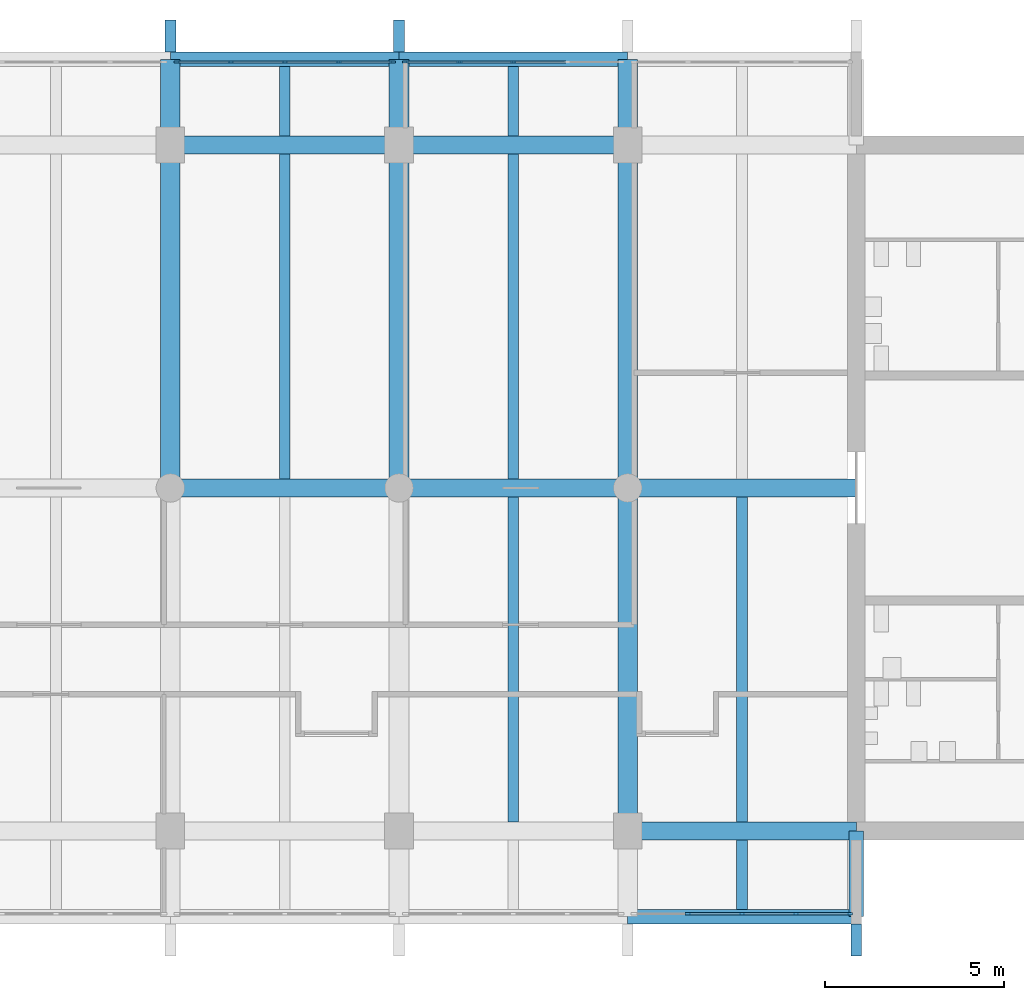
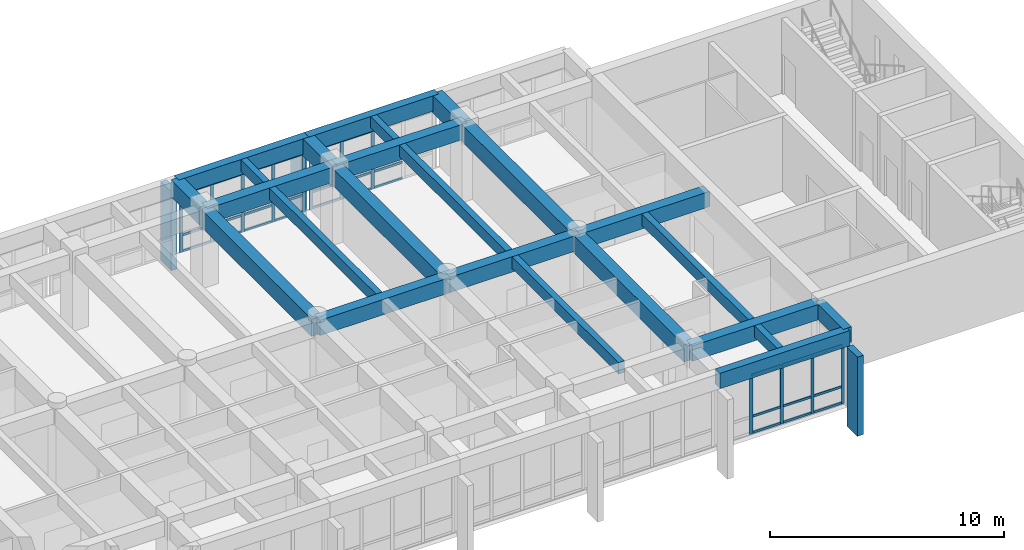
# One storey, part 5 of 15: 44 members, 24 beams, 3 elements without a shape of their own.
"""IFC4 building model written with IfcOpenShell, lengths in metres."""

from ifc_helpers import new_model, si_unit, direction, frame, origin, origin_2d, place, context, subcontext, project, spatial, rectangle, extrude, material, layer, layer_set, material_profile, profile_set, type_object, element, aggregate, save


model = new_model("IFC4")

# Units and contexts
model_context = context("Model", 3, precision=1e-05, world=origin(), true_north=direction((0.0, 1.0)))
body_context = subcontext(model_context, "Body", "Model", "MODEL_VIEW")
ifc_project = project(units=[si_unit("LENGTHUNIT", "METRE"), si_unit("AREAUNIT", "SQUARE_METRE"), si_unit("VOLUMEUNIT", "CUBIC_METRE"), si_unit("PLANEANGLEUNIT", "RADIAN"), si_unit("MASSUNIT", "GRAM", prefix="KILO")], contexts=[model_context])

# Site, building, storey
site_placement = place(None, origin())
site = spatial("IfcSite", under=ifc_project, at=site_placement, CompositionType="ELEMENT")
building_placement = place(site_placement, origin())
building = spatial("IfcBuilding", under=site, at=building_placement, Name="Fogon Plaza Fire Station and Headquarters Tower", CompositionType="ELEMENT")
storey_placement = place(building_placement, frame((0.0, 0.0, 60.0)))
storey = spatial("IfcBuildingStorey", under=building, at=storey_placement, Name="L15", CompositionType="ELEMENT", Elevation=60.0)

# Beams
ifc_material_1 = material(Name="Concrete C40", Category="concrete")
ifc_material_profile_1 = material_profile(ifc_material_1, rectangle(XDim=0.39990234375, YDim=0.800048828125, at=origin_2d()), Name="RC 400x800")
ifc_profile_set_1 = profile_set([ifc_material_profile_1], Name="Concrete C40")
beam_type_1 = type_object("IfcBeamType", Name="BEAM RC 400x800", PredefinedType="BEAM", material=ifc_profile_set_1)
for number, where, z_axis, x_axis, name in (
    (1, (57.60009765625, 31.199951171875, 3.5), (1.0, 0.0, 0.0), (0.0, 1.0, 0.0), "beam-L15-044"),
    (2, (44.800048828125, 55.199951171875, 3.5), (1.0, 0.0, 0.0), (0.0, 1.0, 0.0), "beam-L15-048"),
):
    element("IfcBeam", number, at=place(storey_placement, frame(where, z_axis=z_axis, x_axis=x_axis)), inside=storey, type_object=beam_type_1, Name=name, PredefinedType="BEAM", context=body_context, shape_type="SweptSolid", body=[
        extrude(rectangle(XDim=0.39990234375, YDim=0.800048828125, at=origin_2d()), origin(), (0.0, 0.0, 1.0), 6.39990234375),
    ])
beam_1_placement = place(storey_placement, frame((51.199951171875, 55.199951171875, 3.5), z_axis=(1.0, 0.0, 0.0), x_axis=(0.0, 1.0, 0.0)))
element("IfcBeam", 3, at=beam_1_placement, inside=storey, type_object=beam_type_1, Name="beam-L15-049", PredefinedType="BEAM", context=body_context, shape_type="SweptSolid", body=[
    extrude(rectangle(XDim=0.39990234375, YDim=0.800048828125, at=origin_2d()), origin(), (0.0, 0.0, 1.0), 6.400146484375),
])
ifc_material_2 = material(Name="Concrete C40", Category="concrete")
ifc_material_profile_2 = material_profile(ifc_material_2, rectangle(XDim=0.39990234375, YDim=0.800048828125, at=origin_2d()), Name="RC 400x800")
ifc_profile_set_2 = profile_set([ifc_material_profile_2], Name="Concrete C40")
beam_type_2 = type_object("IfcBeamType", Name="BEAM RC 400x800 SPAN 0.0 TO 3.0 M", PredefinedType="BEAM", material=ifc_profile_set_2)
beam_2_placement = place(storey_placement, frame((64.0, 31.199951171875, 3.5), z_axis=(0.0, 1.0, 0.0), x_axis=(-1.0, 0.0, 0.0)))
element("IfcBeam", 4, at=beam_2_placement, inside=storey, type_object=beam_type_2, Name="beam-L15-053", PredefinedType="BEAM", context=body_context, shape_type="SweptSolid", body=[
    extrude(rectangle(XDim=0.39990234375, YDim=0.800048828125, at=origin_2d()), origin(), (0.0, 0.0, 1.0), 2.400146484375),
])
ifc_material_3 = material(Name="Concrete C40", Category="concrete")
ifc_material_profile_3 = material_profile(ifc_material_3, rectangle(XDim=0.5, YDim=0.800048828125, at=origin_2d()), Name="RC 500x800")
ifc_profile_set_3 = profile_set([ifc_material_profile_3], Name="Concrete C40")
beam_type_3 = type_object("IfcBeamType", Name="BEAM RC 500x800 SPAN 4.8 TO 7.7 M", PredefinedType="BEAM", material=ifc_profile_set_3)
for number, where, z_axis, x_axis, name in (
    (5, (57.60009765625, 33.60009765625, 3.5), (1.0, 0.0, 0.0), (0.0, 1.0, 0.0), "beam-L15-026"),
    (6, (44.800048828125, 43.199951171875, 3.5), (1.0, 0.0, 0.0), (0.0, 1.0, 0.0), "beam-L15-030"),
):
    element("IfcBeam", number, at=place(storey_placement, frame(where, z_axis=z_axis, x_axis=x_axis)), inside=storey, type_object=beam_type_3, Name=name, PredefinedType="BEAM", context=body_context, shape_type="SweptSolid", body=[
        extrude(rectangle(XDim=0.5, YDim=0.800048828125, at=origin_2d()), origin(), (0.0, 0.0, 1.0), 6.39990234375),
    ])
beam_3_placement = place(storey_placement, frame((51.199951171875, 43.199951171875, 3.5), z_axis=(1.0, 0.0, 0.0), x_axis=(0.0, 1.0, 0.0)))
element("IfcBeam", 7, at=beam_3_placement, inside=storey, type_object=beam_type_3, Name="beam-L15-031", PredefinedType="BEAM", context=body_context, shape_type="SweptSolid", body=[
    extrude(rectangle(XDim=0.5, YDim=0.800048828125, at=origin_2d()), origin(), (0.0, 0.0, 1.0), 6.400146484375),
])
for number, where, z_axis, x_axis, name in (
    (8, (57.60009765625, 43.199951171875, 3.5), (1.0, 0.0, 0.0), (0.0, 1.0, 0.0), "beam-L15-032"),
    (9, (44.800048828125, 52.800048828125, 3.5), (1.0, 0.0, 0.0), (0.0, 1.0, 0.0), "beam-L15-036"),
):
    element("IfcBeam", number, at=place(storey_placement, frame(where, z_axis=z_axis, x_axis=x_axis)), inside=storey, type_object=beam_type_3, Name=name, PredefinedType="BEAM", context=body_context, shape_type="SweptSolid", body=[
        extrude(rectangle(XDim=0.5, YDim=0.800048828125, at=origin_2d()), origin(), (0.0, 0.0, 1.0), 6.39990234375),
    ])
beam_4_placement = place(storey_placement, frame((51.199951171875, 52.800048828125, 3.5), z_axis=(1.0, 0.0, 0.0), x_axis=(0.0, 1.0, 0.0)))
element("IfcBeam", 10, at=beam_4_placement, inside=storey, type_object=beam_type_3, Name="beam-L15-037", PredefinedType="BEAM", context=body_context, shape_type="SweptSolid", body=[
    extrude(rectangle(XDim=0.5, YDim=0.800048828125, at=origin_2d()), origin(), (0.0, 0.0, 1.0), 6.400146484375),
])
ifc_material_4 = material(Name="Concrete C40", Category="concrete")
ifc_material_profile_4 = material_profile(ifc_material_4, rectangle(XDim=0.550048828125, YDim=0.89990234375, at=origin_2d()), Name="RC 550x900")
ifc_profile_set_4 = profile_set([ifc_material_profile_4], Name="Concrete C40")
beam_type_4 = type_object("IfcBeamType", Name="BEAM RC 550x900", PredefinedType="BEAM", material=ifc_profile_set_4)
for number, where, z_axis, x_axis, name in (
    (11, (44.800048828125, 43.199951171875, 3.449951171875), (0.0, 1.0, 0.0), (-1.0, 0.0, 0.0), "beam-L15-011"),
    (12, (51.199951171875, 43.199951171875, 3.449951171875), (0.0, 1.0, 0.0), (-1.0, 0.0, 0.0), "beam-L15-015"),
):
    element("IfcBeam", number, at=place(storey_placement, frame(where, z_axis=z_axis, x_axis=x_axis)), inside=storey, type_object=beam_type_4, Name=name, PredefinedType="BEAM", context=body_context, shape_type="SweptSolid", body=[
        extrude(rectangle(XDim=0.550048828125, YDim=0.89990234375, at=origin_2d()), origin(), (0.0, 0.0, 1.0), 9.60009765625),
    ])
beam_5_placement = place(storey_placement, frame((57.60009765625, 33.60009765625, 3.449951171875), z_axis=(0.0, 1.0, 0.0), x_axis=(-1.0, 0.0, 0.0)))
element("IfcBeam", 13, at=beam_5_placement, inside=storey, type_object=beam_type_4, Name="beam-L15-018", PredefinedType="BEAM", context=body_context, shape_type="SweptSolid", body=[
    extrude(rectangle(XDim=0.550048828125, YDim=0.89990234375, at=origin_2d()), origin(), (0.0, 0.0, 1.0), 9.599853515625),
])
beam_6_placement = place(storey_placement, frame((57.60009765625, 43.199951171875, 3.449951171875), z_axis=(0.0, 1.0, 0.0), x_axis=(-1.0, 0.0, 0.0)))
element("IfcBeam", 14, at=beam_6_placement, inside=storey, type_object=beam_type_4, Name="beam-L15-019", PredefinedType="BEAM", context=body_context, shape_type="SweptSolid", body=[
    extrude(rectangle(XDim=0.550048828125, YDim=0.89990234375, at=origin_2d()), origin(), (0.0, 0.0, 1.0), 9.60009765625),
])
ifc_material_5 = material(Name="Concrete C40", Category="concrete")
ifc_material_profile_5 = material_profile(ifc_material_5, rectangle(XDim=0.550048828125, YDim=0.89990234375, at=origin_2d()), Name="RC 550x900")
ifc_profile_set_5 = profile_set([ifc_material_profile_5], Name="Concrete C40")
beam_type_5 = type_object("IfcBeamType", Name="BEAM RC 550x900 SPAN 0.0 TO 3.0 M", PredefinedType="BEAM", material=ifc_profile_set_5)
for number, where, z_axis, x_axis, name in (
    (15, (44.800048828125, 52.800048828125, 3.449951171875), (0.0, 1.0, 0.0), (-1.0, 0.0, 0.0), "beam-L15-012"),
    (16, (51.199951171875, 52.800048828125, 3.449951171875), (0.0, 1.0, 0.0), (-1.0, 0.0, 0.0), "beam-L15-016"),
    (17, (57.60009765625, 52.800048828125, 3.449951171875), (0.0, 1.0, 0.0), (-1.0, 0.0, 0.0), "beam-L15-020"),
):
    element("IfcBeam", number, at=place(storey_placement, frame(where, z_axis=z_axis, x_axis=x_axis)), inside=storey, type_object=beam_type_5, Name=name, PredefinedType="BEAM", context=body_context, shape_type="SweptSolid", body=[
        extrude(rectangle(XDim=0.550048828125, YDim=0.89990234375, at=origin_2d()), origin(), (0.0, 0.0, 1.0), 2.39990234375),
    ])

# Curtain wall, members
ifc_material_6 = material(Name="Aluminium and glass", Category="aluminium")
ifc_layer = layer(ifc_material_6, 0.14990234375)
ifc_layer_set = layer_set([ifc_layer], Name="Aluminium and glass")
curtain_wall_type = type_object("IfcCurtainWallType", Name="Unitised Curtain Wall Run 6100x3100", PredefinedType="NOTDEFINED", material=ifc_layer_set)
curtain_wall_1_placement = place(storey_placement, origin())
curtain_wall_1 = element("IfcCurtainWall", 18, at=curtain_wall_1_placement, inside=storey, type_object=curtain_wall_type, Name="CW-6100x3100 S6 L15", PredefinedType="NOTDEFINED")
ifc_material_7 = material(Name="Aluminium", Category="aluminium")
ifc_material_profile_6 = material_profile(ifc_material_7, rectangle(XDim=0.06005859375, YDim=0.159912109375, at=origin_2d()), Name="Curtain Wall Mullion 60x160")
ifc_profile_set_6 = profile_set([ifc_material_profile_6], Name="Aluminium")
member_type_1 = type_object("IfcMemberType", Name="Curtain Wall Mullion 60x160", PredefinedType="MULLION", material=ifc_profile_set_6)
member_1_placement = place(storey_placement, frame((59.2900390625, 31.280029296875, 0.0), z_axis=(0.0, 0.0, 1.0), x_axis=(0.0, 1.0, 0.0)))
member_1 = element("IfcMember", 19, at=member_1_placement, type_object=member_type_1, Name="CW-6100x3100 mullion 2", PredefinedType="MULLION", context=body_context, shape_type="SweptSolid", body=[
    extrude(rectangle(XDim=0.06005859375, YDim=0.159912109375, at=origin_2d()), origin(), (0.0, 0.0, 1.0), 3.10009765625),
])
member_2_placement = place(storey_placement, frame((60.800048828125, 31.280029296875, 0.0), z_axis=(0.0, 0.0, 1.0), x_axis=(0.0, 1.0, 0.0)))
member_2 = element("IfcMember", 20, at=member_2_placement, type_object=member_type_1, Name="CW-6100x3100 mullion 3", PredefinedType="MULLION", context=body_context, shape_type="SweptSolid", body=[
    extrude(rectangle(XDim=0.06005859375, YDim=0.159912109375, at=origin_2d()), origin(), (0.0, 0.0, 1.0), 3.10009765625),
])
member_3_placement = place(storey_placement, frame((62.31005859375, 31.280029296875, 0.0), z_axis=(0.0, 0.0, 1.0), x_axis=(0.0, 1.0, 0.0)))
member_3 = element("IfcMember", 21, at=member_3_placement, type_object=member_type_1, Name="CW-6100x3100 mullion 4", PredefinedType="MULLION", context=body_context, shape_type="SweptSolid", body=[
    extrude(rectangle(XDim=0.06005859375, YDim=0.159912109375, at=origin_2d()), origin(), (0.0, 0.0, 1.0), 3.10009765625),
])
member_4_placement = place(storey_placement, frame((63.820068359375, 31.280029296875, 0.0), z_axis=(0.0, 0.0, 1.0), x_axis=(0.0, 1.0, 0.0)))
member_4 = element("IfcMember", 22, at=member_4_placement, type_object=member_type_1, Name="CW-6100x3100 mullion 5", PredefinedType="MULLION", context=body_context, shape_type="SweptSolid", body=[
    extrude(rectangle(XDim=0.06005859375, YDim=0.159912109375, at=origin_2d()), origin(), (0.0, 0.0, 1.0), 3.10009765625),
])

curtain_wall_2_placement = place(storey_placement, origin())
curtain_wall_2 = element("IfcCurtainWall", 23, at=curtain_wall_2_placement, inside=storey, type_object=curtain_wall_type, Name="CW-6100x3100 N4 L15", PredefinedType="NOTDEFINED")
member_5_placement = place(storey_placement, frame((44.97998046875, 55.1201171875, 0.0), z_axis=(0.0, 0.0, 1.0), x_axis=(0.0, 1.0, 0.0)))
member_5 = element("IfcMember", 24, at=member_5_placement, type_object=member_type_1, Name="CW-6100x3100 mullion 1", PredefinedType="MULLION", context=body_context, shape_type="SweptSolid", body=[
    extrude(rectangle(XDim=0.06005859375, YDim=0.159912109375, at=origin_2d()), origin(), (0.0, 0.0, 1.0), 3.10009765625),
])
member_6_placement = place(storey_placement, frame((46.489990234375, 55.1201171875, 0.0), z_axis=(0.0, 0.0, 1.0), x_axis=(0.0, 1.0, 0.0)))
member_6 = element("IfcMember", 25, at=member_6_placement, type_object=member_type_1, Name="CW-6100x3100 mullion 2", PredefinedType="MULLION", context=body_context, shape_type="SweptSolid", body=[
    extrude(rectangle(XDim=0.06005859375, YDim=0.159912109375, at=origin_2d()), origin(), (0.0, 0.0, 1.0), 3.10009765625),
])
member_7_placement = place(storey_placement, frame((48.0, 55.1201171875, 0.0), z_axis=(0.0, 0.0, 1.0), x_axis=(0.0, 1.0, 0.0)))
member_7 = element("IfcMember", 26, at=member_7_placement, type_object=member_type_1, Name="CW-6100x3100 mullion 3", PredefinedType="MULLION", context=body_context, shape_type="SweptSolid", body=[
    extrude(rectangle(XDim=0.06005859375, YDim=0.159912109375, at=origin_2d()), origin(), (0.0, 0.0, 1.0), 3.10009765625),
])
member_8_placement = place(storey_placement, frame((49.510009765625, 55.1201171875, 0.0), z_axis=(0.0, 0.0, 1.0), x_axis=(0.0, 1.0, 0.0)))
member_8 = element("IfcMember", 27, at=member_8_placement, type_object=member_type_1, Name="CW-6100x3100 mullion 4", PredefinedType="MULLION", context=body_context, shape_type="SweptSolid", body=[
    extrude(rectangle(XDim=0.06005859375, YDim=0.159912109375, at=origin_2d()), origin(), (0.0, 0.0, 1.0), 3.10009765625),
])
member_9_placement = place(storey_placement, frame((51.02001953125, 55.1201171875, 0.0), z_axis=(0.0, 0.0, 1.0), x_axis=(0.0, 1.0, 0.0)))
member_9 = element("IfcMember", 28, at=member_9_placement, type_object=member_type_1, Name="CW-6100x3100 mullion 5", PredefinedType="MULLION", context=body_context, shape_type="SweptSolid", body=[
    extrude(rectangle(XDim=0.06005859375, YDim=0.159912109375, at=origin_2d()), origin(), (0.0, 0.0, 1.0), 3.10009765625),
])

curtain_wall_3_placement = place(storey_placement, origin())
curtain_wall_3 = element("IfcCurtainWall", 29, at=curtain_wall_3_placement, inside=storey, type_object=curtain_wall_type, Name="CW-6100x3100 N5 L15", PredefinedType="NOTDEFINED")
member_10_placement = place(storey_placement, frame((51.3798828125, 55.1201171875, 0.0), z_axis=(0.0, 0.0, 1.0), x_axis=(0.0, 1.0, 0.0)))
member_10 = element("IfcMember", 30, at=member_10_placement, type_object=member_type_1, Name="CW-6100x3100 mullion 1", PredefinedType="MULLION", context=body_context, shape_type="SweptSolid", body=[
    extrude(rectangle(XDim=0.06005859375, YDim=0.159912109375, at=origin_2d()), origin(), (0.0, 0.0, 1.0), 3.10009765625),
])
member_11_placement = place(storey_placement, frame((52.889892578125, 55.1201171875, 0.0), z_axis=(0.0, 0.0, 1.0), x_axis=(0.0, 1.0, 0.0)))
member_11 = element("IfcMember", 31, at=member_11_placement, type_object=member_type_1, Name="CW-6100x3100 mullion 2", PredefinedType="MULLION", context=body_context, shape_type="SweptSolid", body=[
    extrude(rectangle(XDim=0.06005859375, YDim=0.159912109375, at=origin_2d()), origin(), (0.0, 0.0, 1.0), 3.10009765625),
])
member_12_placement = place(storey_placement, frame((54.39990234375, 55.1201171875, 0.0), z_axis=(0.0, 0.0, 1.0), x_axis=(0.0, 1.0, 0.0)))
member_12 = element("IfcMember", 32, at=member_12_placement, type_object=member_type_1, Name="CW-6100x3100 mullion 3", PredefinedType="MULLION", context=body_context, shape_type="SweptSolid", body=[
    extrude(rectangle(XDim=0.06005859375, YDim=0.159912109375, at=origin_2d()), origin(), (0.0, 0.0, 1.0), 3.10009765625),
])

# Member
ifc_material_8 = material(Name="Aluminium", Category="aluminium")
ifc_material_profile_7 = material_profile(ifc_material_8, rectangle(XDim=0.06005859375, YDim=0.1201171875, at=origin_2d()), Name="Curtain Wall Transom 60x120")
ifc_profile_set_7 = profile_set([ifc_material_profile_7], Name="Aluminium")
member_type_2 = type_object("IfcMemberType", Name="Curtain Wall Transom 60x120", PredefinedType="USERDEFINED", material=ifc_profile_set_7)
member_13_placement = place(storey_placement, frame((59.320068359375, 31.280029296875, 0.06005859375), z_axis=(1.0, 0.0, 0.0), x_axis=(0.0, 1.0, 0.0)))
member_13 = element("IfcMember", 33, at=member_13_placement, type_object=member_type_2, Name="CW-6100x3100 transom 2.1", ObjectType="TRANSOM", PredefinedType="USERDEFINED", context=body_context, shape_type="SweptSolid", body=[
    extrude(rectangle(XDim=0.06005859375, YDim=0.1201171875, at=origin_2d()), origin(), (0.0, 0.0, 1.0), 1.449951171875),
])

member_14_placement = place(storey_placement, frame((59.320068359375, 31.280029296875, 0.89990234375), z_axis=(1.0, 0.0, 0.0), x_axis=(0.0, 1.0, 0.0)))
member_14 = element("IfcMember", 34, at=member_14_placement, type_object=member_type_2, Name="CW-6100x3100 transom 2.2", ObjectType="TRANSOM", PredefinedType="USERDEFINED", context=body_context, shape_type="SweptSolid", body=[
    extrude(rectangle(XDim=0.06005859375, YDim=0.1201171875, at=origin_2d()), origin(), (0.0, 0.0, 1.0), 1.449951171875),
])

member_15_placement = place(storey_placement, frame((59.320068359375, 31.280029296875, 3.0400390625), z_axis=(1.0, 0.0, 0.0), x_axis=(0.0, 1.0, 0.0)))
member_15 = element("IfcMember", 35, at=member_15_placement, type_object=member_type_2, Name="CW-6100x3100 transom 2.3", ObjectType="TRANSOM", PredefinedType="USERDEFINED", context=body_context, shape_type="SweptSolid", body=[
    extrude(rectangle(XDim=0.06005859375, YDim=0.1201171875, at=origin_2d()), origin(), (0.0, 0.0, 1.0), 1.449951171875),
])

member_16_placement = place(storey_placement, frame((60.830078125, 31.280029296875, 0.06005859375), z_axis=(1.0, 0.0, 0.0), x_axis=(0.0, 1.0, 0.0)))
member_16 = element("IfcMember", 36, at=member_16_placement, type_object=member_type_2, Name="CW-6100x3100 transom 3.1", ObjectType="TRANSOM", PredefinedType="USERDEFINED", context=body_context, shape_type="SweptSolid", body=[
    extrude(rectangle(XDim=0.06005859375, YDim=0.1201171875, at=origin_2d()), origin(), (0.0, 0.0, 1.0), 1.449951171875),
])

member_17_placement = place(storey_placement, frame((60.830078125, 31.280029296875, 0.89990234375), z_axis=(1.0, 0.0, 0.0), x_axis=(0.0, 1.0, 0.0)))
member_17 = element("IfcMember", 37, at=member_17_placement, type_object=member_type_2, Name="CW-6100x3100 transom 3.2", ObjectType="TRANSOM", PredefinedType="USERDEFINED", context=body_context, shape_type="SweptSolid", body=[
    extrude(rectangle(XDim=0.06005859375, YDim=0.1201171875, at=origin_2d()), origin(), (0.0, 0.0, 1.0), 1.449951171875),
])

member_18_placement = place(storey_placement, frame((60.830078125, 31.280029296875, 3.0400390625), z_axis=(1.0, 0.0, 0.0), x_axis=(0.0, 1.0, 0.0)))
member_18 = element("IfcMember", 38, at=member_18_placement, type_object=member_type_2, Name="CW-6100x3100 transom 3.3", ObjectType="TRANSOM", PredefinedType="USERDEFINED", context=body_context, shape_type="SweptSolid", body=[
    extrude(rectangle(XDim=0.06005859375, YDim=0.1201171875, at=origin_2d()), origin(), (0.0, 0.0, 1.0), 1.449951171875),
])

member_19_placement = place(storey_placement, frame((62.340087890625, 31.280029296875, 0.06005859375), z_axis=(1.0, 0.0, 0.0), x_axis=(0.0, 1.0, 0.0)))
member_19 = element("IfcMember", 39, at=member_19_placement, type_object=member_type_2, Name="CW-6100x3100 transom 4.1", ObjectType="TRANSOM", PredefinedType="USERDEFINED", context=body_context, shape_type="SweptSolid", body=[
    extrude(rectangle(XDim=0.06005859375, YDim=0.1201171875, at=origin_2d()), origin(), (0.0, 0.0, 1.0), 1.449951171875),
])

member_20_placement = place(storey_placement, frame((62.340087890625, 31.280029296875, 0.89990234375), z_axis=(1.0, 0.0, 0.0), x_axis=(0.0, 1.0, 0.0)))
member_20 = element("IfcMember", 40, at=member_20_placement, type_object=member_type_2, Name="CW-6100x3100 transom 4.2", ObjectType="TRANSOM", PredefinedType="USERDEFINED", context=body_context, shape_type="SweptSolid", body=[
    extrude(rectangle(XDim=0.06005859375, YDim=0.1201171875, at=origin_2d()), origin(), (0.0, 0.0, 1.0), 1.449951171875),
])

member_21_placement = place(storey_placement, frame((62.340087890625, 31.280029296875, 3.0400390625), z_axis=(1.0, 0.0, 0.0), x_axis=(0.0, 1.0, 0.0)))
member_21 = element("IfcMember", 41, at=member_21_placement, type_object=member_type_2, Name="CW-6100x3100 transom 4.3", ObjectType="TRANSOM", PredefinedType="USERDEFINED", context=body_context, shape_type="SweptSolid", body=[
    extrude(rectangle(XDim=0.06005859375, YDim=0.1201171875, at=origin_2d()), origin(), (0.0, 0.0, 1.0), 1.449951171875),
])

aggregate(curtain_wall_1, [member_1, member_2, member_3, member_4, member_13, member_14, member_15, member_16, member_17, member_18, member_19, member_20, member_21])

member_22_placement = place(storey_placement, frame((45.010009765625, 55.1201171875, 0.06005859375), z_axis=(1.0, 0.0, 0.0), x_axis=(0.0, 1.0, 0.0)))
member_22 = element("IfcMember", 42, at=member_22_placement, type_object=member_type_2, Name="CW-6100x3100 transom 1.1", ObjectType="TRANSOM", PredefinedType="USERDEFINED", context=body_context, shape_type="SweptSolid", body=[
    extrude(rectangle(XDim=0.06005859375, YDim=0.1201171875, at=origin_2d()), origin(), (0.0, 0.0, 1.0), 1.449951171875),
])

member_23_placement = place(storey_placement, frame((45.010009765625, 55.1201171875, 0.89990234375), z_axis=(1.0, 0.0, 0.0), x_axis=(0.0, 1.0, 0.0)))
member_23 = element("IfcMember", 43, at=member_23_placement, type_object=member_type_2, Name="CW-6100x3100 transom 1.2", ObjectType="TRANSOM", PredefinedType="USERDEFINED", context=body_context, shape_type="SweptSolid", body=[
    extrude(rectangle(XDim=0.06005859375, YDim=0.1201171875, at=origin_2d()), origin(), (0.0, 0.0, 1.0), 1.449951171875),
])

member_24_placement = place(storey_placement, frame((45.010009765625, 55.1201171875, 3.0400390625), z_axis=(1.0, 0.0, 0.0), x_axis=(0.0, 1.0, 0.0)))
member_24 = element("IfcMember", 44, at=member_24_placement, type_object=member_type_2, Name="CW-6100x3100 transom 1.3", ObjectType="TRANSOM", PredefinedType="USERDEFINED", context=body_context, shape_type="SweptSolid", body=[
    extrude(rectangle(XDim=0.06005859375, YDim=0.1201171875, at=origin_2d()), origin(), (0.0, 0.0, 1.0), 1.449951171875),
])

member_25_placement = place(storey_placement, frame((46.52001953125, 55.1201171875, 0.06005859375), z_axis=(1.0, 0.0, 0.0), x_axis=(0.0, 1.0, 0.0)))
member_25 = element("IfcMember", 45, at=member_25_placement, type_object=member_type_2, Name="CW-6100x3100 transom 2.1", ObjectType="TRANSOM", PredefinedType="USERDEFINED", context=body_context, shape_type="SweptSolid", body=[
    extrude(rectangle(XDim=0.06005859375, YDim=0.1201171875, at=origin_2d()), origin(), (0.0, 0.0, 1.0), 1.449951171875),
])

member_26_placement = place(storey_placement, frame((46.52001953125, 55.1201171875, 0.89990234375), z_axis=(1.0, 0.0, 0.0), x_axis=(0.0, 1.0, 0.0)))
member_26 = element("IfcMember", 46, at=member_26_placement, type_object=member_type_2, Name="CW-6100x3100 transom 2.2", ObjectType="TRANSOM", PredefinedType="USERDEFINED", context=body_context, shape_type="SweptSolid", body=[
    extrude(rectangle(XDim=0.06005859375, YDim=0.1201171875, at=origin_2d()), origin(), (0.0, 0.0, 1.0), 1.449951171875),
])

member_27_placement = place(storey_placement, frame((46.52001953125, 55.1201171875, 3.0400390625), z_axis=(1.0, 0.0, 0.0), x_axis=(0.0, 1.0, 0.0)))
member_27 = element("IfcMember", 47, at=member_27_placement, type_object=member_type_2, Name="CW-6100x3100 transom 2.3", ObjectType="TRANSOM", PredefinedType="USERDEFINED", context=body_context, shape_type="SweptSolid", body=[
    extrude(rectangle(XDim=0.06005859375, YDim=0.1201171875, at=origin_2d()), origin(), (0.0, 0.0, 1.0), 1.449951171875),
])

member_28_placement = place(storey_placement, frame((48.030029296875, 55.1201171875, 0.06005859375), z_axis=(1.0, 0.0, 0.0), x_axis=(0.0, 1.0, 0.0)))
member_28 = element("IfcMember", 48, at=member_28_placement, type_object=member_type_2, Name="CW-6100x3100 transom 3.1", ObjectType="TRANSOM", PredefinedType="USERDEFINED", context=body_context, shape_type="SweptSolid", body=[
    extrude(rectangle(XDim=0.06005859375, YDim=0.1201171875, at=origin_2d()), origin(), (0.0, 0.0, 1.0), 1.449951171875),
])

member_29_placement = place(storey_placement, frame((48.030029296875, 55.1201171875, 0.89990234375), z_axis=(1.0, 0.0, 0.0), x_axis=(0.0, 1.0, 0.0)))
member_29 = element("IfcMember", 49, at=member_29_placement, type_object=member_type_2, Name="CW-6100x3100 transom 3.2", ObjectType="TRANSOM", PredefinedType="USERDEFINED", context=body_context, shape_type="SweptSolid", body=[
    extrude(rectangle(XDim=0.06005859375, YDim=0.1201171875, at=origin_2d()), origin(), (0.0, 0.0, 1.0), 1.449951171875),
])

member_30_placement = place(storey_placement, frame((48.030029296875, 55.1201171875, 3.0400390625), z_axis=(1.0, 0.0, 0.0), x_axis=(0.0, 1.0, 0.0)))
member_30 = element("IfcMember", 50, at=member_30_placement, type_object=member_type_2, Name="CW-6100x3100 transom 3.3", ObjectType="TRANSOM", PredefinedType="USERDEFINED", context=body_context, shape_type="SweptSolid", body=[
    extrude(rectangle(XDim=0.06005859375, YDim=0.1201171875, at=origin_2d()), origin(), (0.0, 0.0, 1.0), 1.449951171875),
])

member_31_placement = place(storey_placement, frame((49.5400390625, 55.1201171875, 0.06005859375), z_axis=(1.0, 0.0, 0.0), x_axis=(0.0, 1.0, 0.0)))
member_31 = element("IfcMember", 51, at=member_31_placement, type_object=member_type_2, Name="CW-6100x3100 transom 4.1", ObjectType="TRANSOM", PredefinedType="USERDEFINED", context=body_context, shape_type="SweptSolid", body=[
    extrude(rectangle(XDim=0.06005859375, YDim=0.1201171875, at=origin_2d()), origin(), (0.0, 0.0, 1.0), 1.449951171875),
])

member_32_placement = place(storey_placement, frame((49.5400390625, 55.1201171875, 0.89990234375), z_axis=(1.0, 0.0, 0.0), x_axis=(0.0, 1.0, 0.0)))
member_32 = element("IfcMember", 52, at=member_32_placement, type_object=member_type_2, Name="CW-6100x3100 transom 4.2", ObjectType="TRANSOM", PredefinedType="USERDEFINED", context=body_context, shape_type="SweptSolid", body=[
    extrude(rectangle(XDim=0.06005859375, YDim=0.1201171875, at=origin_2d()), origin(), (0.0, 0.0, 1.0), 1.449951171875),
])

member_33_placement = place(storey_placement, frame((49.5400390625, 55.1201171875, 3.0400390625), z_axis=(1.0, 0.0, 0.0), x_axis=(0.0, 1.0, 0.0)))
member_33 = element("IfcMember", 53, at=member_33_placement, type_object=member_type_2, Name="CW-6100x3100 transom 4.3", ObjectType="TRANSOM", PredefinedType="USERDEFINED", context=body_context, shape_type="SweptSolid", body=[
    extrude(rectangle(XDim=0.06005859375, YDim=0.1201171875, at=origin_2d()), origin(), (0.0, 0.0, 1.0), 1.449951171875),
])

aggregate(curtain_wall_2, [member_5, member_6, member_7, member_8, member_9, member_22, member_23, member_24, member_25, member_26, member_27, member_28, member_29, member_30, member_31, member_32, member_33])

member_34_placement = place(storey_placement, frame((51.409912109375, 55.1201171875, 0.06005859375), z_axis=(1.0, 0.0, 0.0), x_axis=(0.0, 1.0, 0.0)))
member_34 = element("IfcMember", 54, at=member_34_placement, type_object=member_type_2, Name="CW-6100x3100 transom 1.1", ObjectType="TRANSOM", PredefinedType="USERDEFINED", context=body_context, shape_type="SweptSolid", body=[
    extrude(rectangle(XDim=0.06005859375, YDim=0.1201171875, at=origin_2d()), origin(), (0.0, 0.0, 1.0), 1.4501953125),
])

member_35_placement = place(storey_placement, frame((51.409912109375, 55.1201171875, 0.89990234375), z_axis=(1.0, 0.0, 0.0), x_axis=(0.0, 1.0, 0.0)))
member_35 = element("IfcMember", 55, at=member_35_placement, type_object=member_type_2, Name="CW-6100x3100 transom 1.2", ObjectType="TRANSOM", PredefinedType="USERDEFINED", context=body_context, shape_type="SweptSolid", body=[
    extrude(rectangle(XDim=0.06005859375, YDim=0.1201171875, at=origin_2d()), origin(), (0.0, 0.0, 1.0), 1.4501953125),
])

member_36_placement = place(storey_placement, frame((51.409912109375, 55.1201171875, 3.0400390625), z_axis=(1.0, 0.0, 0.0), x_axis=(0.0, 1.0, 0.0)))
member_36 = element("IfcMember", 56, at=member_36_placement, type_object=member_type_2, Name="CW-6100x3100 transom 1.3", ObjectType="TRANSOM", PredefinedType="USERDEFINED", context=body_context, shape_type="SweptSolid", body=[
    extrude(rectangle(XDim=0.06005859375, YDim=0.1201171875, at=origin_2d()), origin(), (0.0, 0.0, 1.0), 1.4501953125),
])

member_37_placement = place(storey_placement, frame((52.919921875, 55.1201171875, 0.06005859375), z_axis=(1.0, 0.0, 0.0), x_axis=(0.0, 1.0, 0.0)))
member_37 = element("IfcMember", 57, at=member_37_placement, type_object=member_type_2, Name="CW-6100x3100 transom 2.1", ObjectType="TRANSOM", PredefinedType="USERDEFINED", context=body_context, shape_type="SweptSolid", body=[
    extrude(rectangle(XDim=0.06005859375, YDim=0.1201171875, at=origin_2d()), origin(), (0.0, 0.0, 1.0), 1.4501953125),
])

member_38_placement = place(storey_placement, frame((52.919921875, 55.1201171875, 0.89990234375), z_axis=(1.0, 0.0, 0.0), x_axis=(0.0, 1.0, 0.0)))
member_38 = element("IfcMember", 58, at=member_38_placement, type_object=member_type_2, Name="CW-6100x3100 transom 2.2", ObjectType="TRANSOM", PredefinedType="USERDEFINED", context=body_context, shape_type="SweptSolid", body=[
    extrude(rectangle(XDim=0.06005859375, YDim=0.1201171875, at=origin_2d()), origin(), (0.0, 0.0, 1.0), 1.4501953125),
])

member_39_placement = place(storey_placement, frame((52.919921875, 55.1201171875, 3.0400390625), z_axis=(1.0, 0.0, 0.0), x_axis=(0.0, 1.0, 0.0)))
member_39 = element("IfcMember", 59, at=member_39_placement, type_object=member_type_2, Name="CW-6100x3100 transom 2.3", ObjectType="TRANSOM", PredefinedType="USERDEFINED", context=body_context, shape_type="SweptSolid", body=[
    extrude(rectangle(XDim=0.06005859375, YDim=0.1201171875, at=origin_2d()), origin(), (0.0, 0.0, 1.0), 1.4501953125),
])

member_40_placement = place(storey_placement, frame((54.429931640625, 55.1201171875, 0.06005859375), z_axis=(1.0, 0.0, 0.0), x_axis=(0.0, 1.0, 0.0)))
member_40 = element("IfcMember", 60, at=member_40_placement, type_object=member_type_2, Name="CW-6100x3100 transom 3.1", ObjectType="TRANSOM", PredefinedType="USERDEFINED", context=body_context, shape_type="SweptSolid", body=[
    extrude(rectangle(XDim=0.06005859375, YDim=0.1201171875, at=origin_2d()), origin(), (0.0, 0.0, 1.0), 1.449951171875),
])

member_41_placement = place(storey_placement, frame((54.429931640625, 55.1201171875, 0.89990234375), z_axis=(1.0, 0.0, 0.0), x_axis=(0.0, 1.0, 0.0)))
member_41 = element("IfcMember", 61, at=member_41_placement, type_object=member_type_2, Name="CW-6100x3100 transom 3.2", ObjectType="TRANSOM", PredefinedType="USERDEFINED", context=body_context, shape_type="SweptSolid", body=[
    extrude(rectangle(XDim=0.06005859375, YDim=0.1201171875, at=origin_2d()), origin(), (0.0, 0.0, 1.0), 1.449951171875),
])

aggregate(curtain_wall_3, [member_10, member_11, member_12, member_34, member_35, member_36, member_37, member_38, member_39, member_40, member_41])

# Beams
ifc_material_9 = material(Name="Concrete C40", Category="concrete")
ifc_material_profile_8 = material_profile(ifc_material_9, rectangle(XDim=0.300048828125, YDim=0.60009765625, at=origin_2d()), Name="RC 300x600")
ifc_profile_set_8 = profile_set([ifc_material_profile_8], Name="Concrete C40")
beam_type_6 = type_object("IfcBeamType", Name="JOIST RC 300x600", PredefinedType="JOIST", material=ifc_profile_set_8)
beam_7_placement = place(storey_placement, frame((48.0, 43.449951171875, 3.60009765625), z_axis=(0.0, 1.0, 0.0), x_axis=(-1.0, 0.0, 0.0)))
element("IfcBeam", 62, at=beam_7_placement, inside=storey, type_object=beam_type_6, Name="beam-L15-069", PredefinedType="JOIST", context=body_context, shape_type="SweptSolid", body=[
    extrude(rectangle(XDim=0.300048828125, YDim=0.60009765625, at=origin_2d()), origin(), (0.0, 0.0, 1.0), 9.10009765625),
])
beam_8_placement = place(storey_placement, frame((54.39990234375, 33.85009765625, 3.60009765625), z_axis=(0.0, 1.0, 0.0), x_axis=(-1.0, 0.0, 0.0)))
element("IfcBeam", 63, at=beam_8_placement, inside=storey, type_object=beam_type_6, Name="beam-L15-072", PredefinedType="JOIST", context=body_context, shape_type="SweptSolid", body=[
    extrude(rectangle(XDim=0.300048828125, YDim=0.60009765625, at=origin_2d()), origin(), (0.0, 0.0, 1.0), 9.099853515625),
])
beam_9_placement = place(storey_placement, frame((54.39990234375, 43.449951171875, 3.60009765625), z_axis=(0.0, 1.0, 0.0), x_axis=(-1.0, 0.0, 0.0)))
element("IfcBeam", 64, at=beam_9_placement, inside=storey, type_object=beam_type_6, Name="beam-L15-073", PredefinedType="JOIST", context=body_context, shape_type="SweptSolid", body=[
    extrude(rectangle(XDim=0.300048828125, YDim=0.60009765625, at=origin_2d()), origin(), (0.0, 0.0, 1.0), 9.10009765625),
])
beam_10_placement = place(storey_placement, frame((60.800048828125, 33.85009765625, 3.60009765625), z_axis=(0.0, 1.0, 0.0), x_axis=(-1.0, 0.0, 0.0)))
element("IfcBeam", 65, at=beam_10_placement, inside=storey, type_object=beam_type_6, Name="beam-L15-076", PredefinedType="JOIST", context=body_context, shape_type="SweptSolid", body=[
    extrude(rectangle(XDim=0.300048828125, YDim=0.60009765625, at=origin_2d()), origin(), (0.0, 0.0, 1.0), 9.099853515625),
])
ifc_material_10 = material(Name="Concrete C40", Category="concrete")
ifc_material_profile_9 = material_profile(ifc_material_10, rectangle(XDim=0.300048828125, YDim=0.60009765625, at=origin_2d()), Name="RC 300x600")
ifc_profile_set_9 = profile_set([ifc_material_profile_9], Name="Concrete C40")
beam_type_7 = type_object("IfcBeamType", Name="JOIST RC 300x600 SPAN 0.0 TO 3.0 M", PredefinedType="JOIST", material=ifc_profile_set_9)
for number, where, z_axis, x_axis, name in (
    (66, (48.0, 53.050048828125, 3.60009765625), (0.0, 1.0, 0.0), (-1.0, 0.0, 0.0), "beam-L15-070"),
    (67, (54.39990234375, 53.050048828125, 3.60009765625), (0.0, 1.0, 0.0), (-1.0, 0.0, 0.0), "beam-L15-074"),
):
    element("IfcBeam", number, at=place(storey_placement, frame(where, z_axis=z_axis, x_axis=x_axis)), inside=storey, type_object=beam_type_7, Name=name, PredefinedType="JOIST", context=body_context, shape_type="SweptSolid", body=[
        extrude(rectangle(XDim=0.300048828125, YDim=0.60009765625, at=origin_2d()), origin(), (0.0, 0.0, 1.0), 1.949951171875),
    ])
beam_11_placement = place(storey_placement, frame((60.800048828125, 31.39990234375, 3.60009765625), z_axis=(0.0, 1.0, 0.0), x_axis=(-1.0, 0.0, 0.0)))
element("IfcBeam", 68, at=beam_11_placement, inside=storey, type_object=beam_type_7, Name="beam-L15-075", PredefinedType="JOIST", context=body_context, shape_type="SweptSolid", body=[
    extrude(rectangle(XDim=0.300048828125, YDim=0.60009765625, at=origin_2d()), origin(), (0.0, 0.0, 1.0), 1.9501953125),
])

# Members
ifc_material_11 = material(Name="Concrete C40 precast", Category="concrete")
ifc_material_profile_10 = material_profile(ifc_material_11, rectangle(XDim=0.300048828125, YDim=0.89990234375, at=origin_2d()), Name="Precast Concrete Post 300x900")
ifc_profile_set_10 = profile_set([ifc_material_profile_10], Name="Concrete C40 precast")
member_type_3 = type_object("IfcMemberType", Name="Precast Concrete Post 300x900", PredefinedType="POST", material=ifc_profile_set_10)
for number, where, z_axis, x_axis, name in (
    (69, (64.0, 30.550048828125, -1.02001953125), (0.0, 0.0, 1.0), (1.0, 0.0, 0.0), "Precast Post S L15"),
    (70, (44.800048828125, 55.85009765625, -1.02001953125), (0.0, 0.0, 1.0), (1.0, 0.0, 0.0), "Precast Post N L15"),
    (71, (51.199951171875, 55.85009765625, -1.02001953125), (0.0, 0.0, 1.0), (1.0, 0.0, 0.0), "Precast Post N L15"),
):
    element("IfcMember", number, at=place(storey_placement, frame(where, z_axis=z_axis, x_axis=x_axis)), inside=storey, type_object=member_type_3, Name=name, PredefinedType="POST", context=body_context, shape_type="SweptSolid", body=[
        extrude(rectangle(XDim=0.300048828125, YDim=0.89990234375, at=origin_2d()), origin(), (0.0, 0.0, 1.0), 4.1201171875),
    ])

save(model, "model.ifc")
